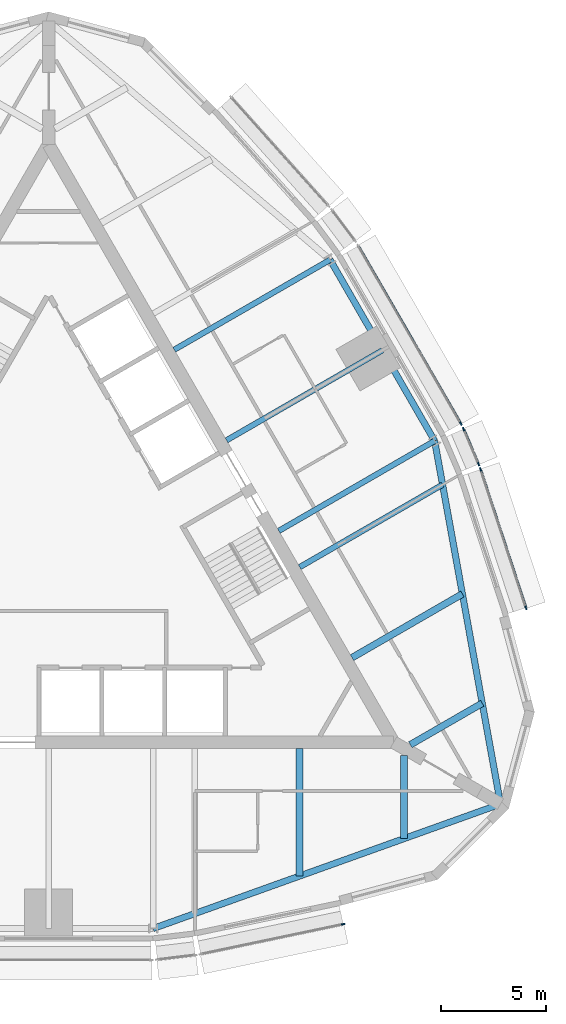
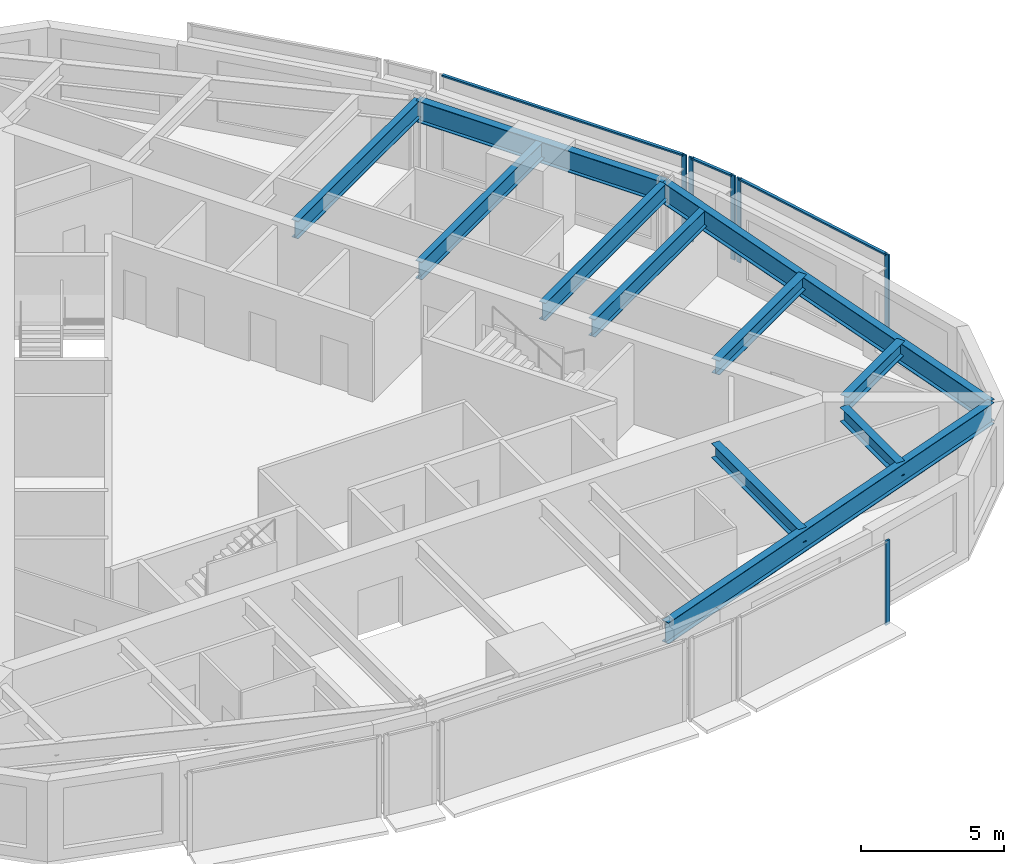
# One storey, part 4 of 12: 11 beams, 9 members, 4 elements without a shape of their own.
"""IFC4 building model written with IfcOpenShell, lengths in metres."""

from ifc_helpers import new_model, si_unit, direction, frame, origin, origin_2d, place, context, subcontext, project, spatial, rectangle, i_section, extrude, material, material_profile, profile_set, type_object, element, aggregate, save


model = new_model("IFC4")

# Units and contexts
model_context = context("Model", 3, precision=1e-05, world=origin(), true_north=direction((0.0, 1.0)))
body_context = subcontext(model_context, "Body", "Model", "MODEL_VIEW")
ifc_project = project(units=[si_unit("LENGTHUNIT", "METRE"), si_unit("AREAUNIT", "SQUARE_METRE"), si_unit("VOLUMEUNIT", "CUBIC_METRE"), si_unit("PLANEANGLEUNIT", "RADIAN"), si_unit("MASSUNIT", "GRAM", prefix="KILO")], contexts=[model_context])

# Site, building, storey
site_placement = place(None, origin())
site = spatial("IfcSite", under=ifc_project, at=site_placement, CompositionType="ELEMENT")
building_placement = place(site_placement, origin())
building = spatial("IfcBuilding", under=site, at=building_placement, Name="Trikona Tower", CompositionType="ELEMENT")
storey_placement = place(building_placement, frame((0.0, 0.0, 250.10009765625)))
storey = spatial("IfcBuildingStorey", under=building, at=storey_placement, Name="L66", CompositionType="ELEMENT", Elevation=250.10009765625)

# Curtain wall, member
ifc_material_1 = material(Name="Aluminium curtain wall system", Category="aluminium")
curtain_wall_type = type_object("IfcCurtainWallType", Name="Curtain wall DS3", PredefinedType="NOTDEFINED", material=ifc_material_1)
curtain_wall_1_placement = place(storey_placement, origin())
curtain_wall_1 = element("IfcCurtainWall", 1, at=curtain_wall_1_placement, inside=storey, type_object=curtain_wall_type, Name="Curtain wall DS3 L66", PredefinedType="NOTDEFINED")
ifc_material_2 = material(Name="Aluminium mullion, pale anodised", Category="aluminium")
ifc_material_profile_1 = material_profile(ifc_material_2, rectangle(XDim=0.070068359375, YDim=0.179931640625, at=origin_2d()), Name="MUL-DS3")
ifc_profile_set_1 = profile_set([ifc_material_profile_1], Name="Aluminium mullion, pale anodised")
member_type_1 = type_object("IfcMemberType", Name="Mullion DS3 70x180", PredefinedType="MULLION", material=ifc_profile_set_1)
member_1_placement = place(storey_placement, frame((14.092041015625, -18.220703125, 0.0), z_axis=(0.0, 0.0, 1.0), x_axis=(-0.205527448396, 0.978651351583, 0.0)))
member_1 = element("IfcMember", 2, at=member_1_placement, type_object=member_type_1, Name="CW-DS3 mullion 2", PredefinedType="MULLION", context=body_context, shape_type="SweptSolid", body=[
    extrude(rectangle(XDim=0.070068359375, YDim=0.179931640625, at=origin_2d()), origin(), (0.0, 0.0, 1.0), 3.599853515625),
])
aggregate(curtain_wall_1, [member_1])

# Curtain wall, members
curtain_wall_2_placement = place(storey_placement, origin())
curtain_wall_2 = element("IfcCurtainWall", 3, at=curtain_wall_2_placement, inside=storey, type_object=curtain_wall_type, Name="Curtain wall DS3 L66", PredefinedType="NOTDEFINED")
member_2_placement = place(storey_placement, frame((22.82568359375, -3.09375, 0.0), z_axis=(0.0, 0.0, 1.0), x_axis=(-0.95029742275, -0.311343553515, 0.0)))
member_2 = element("IfcMember", 4, at=member_2_placement, type_object=member_type_1, Name="CW-DS3 mullion 1", PredefinedType="MULLION", context=body_context, shape_type="SweptSolid", body=[
    extrude(rectangle(XDim=0.070068359375, YDim=0.179931640625, at=origin_2d()), origin(), (0.0, 0.0, 1.0), 3.599853515625),
])
member_3_placement = place(storey_placement, frame((20.657958984375, 3.52294921875, 0.0), z_axis=(0.0, 0.0, 1.0), x_axis=(-0.95029742275, -0.311343553515, 0.0)))
member_3 = element("IfcMember", 5, at=member_3_placement, type_object=member_type_1, Name="CW-DS3 mullion 2", PredefinedType="MULLION", context=body_context, shape_type="SweptSolid", body=[
    extrude(rectangle(XDim=0.070068359375, YDim=0.179931640625, at=origin_2d()), origin(), (0.0, 0.0, 1.0), 3.599853515625),
])

curtain_wall_3_placement = place(storey_placement, origin())
curtain_wall_3 = element("IfcCurtainWall", 6, at=curtain_wall_3_placement, inside=storey, type_object=curtain_wall_type, Name="Curtain wall DS3 L66", PredefinedType="NOTDEFINED")
member_4_placement = place(storey_placement, frame((20.563232421875, 3.7744140625, 0.0), z_axis=(0.0, 0.0, 1.0), x_axis=(-0.919420580163, -0.393275726143, 0.0)))
member_4 = element("IfcMember", 7, at=member_4_placement, type_object=member_type_1, Name="CW-DS3 mullion 1", PredefinedType="MULLION", context=body_context, shape_type="SweptSolid", body=[
    extrude(rectangle(XDim=0.070068359375, YDim=0.179931640625, at=origin_2d()), origin(), (0.0, 0.0, 1.0), 3.599853515625),
])
member_5_placement = place(storey_placement, frame((19.845703125, 5.45166015625, 0.0), z_axis=(0.0, 0.0, 1.0), x_axis=(-0.919420580163, -0.393275726143, 0.0)))
member_5 = element("IfcMember", 8, at=member_5_placement, type_object=member_type_1, Name="CW-DS3 mullion 2", PredefinedType="MULLION", context=body_context, shape_type="SweptSolid", body=[
    extrude(rectangle(XDim=0.070068359375, YDim=0.179931640625, at=origin_2d()), origin(), (0.0, 0.0, 1.0), 3.599853515625),
])

# Curtain wall, member
curtain_wall_4_placement = place(storey_placement, origin())
curtain_wall_4 = element("IfcCurtainWall", 9, at=curtain_wall_4_placement, inside=storey, type_object=curtain_wall_type, Name="Curtain wall DS3 L66", PredefinedType="NOTDEFINED")
member_6_placement = place(storey_placement, frame((19.712890625, 5.717529296875, 0.0), z_axis=(0.0, 0.0, 1.0), x_axis=(-0.866024619633, -0.500001358187, 0.0)))
member_6 = element("IfcMember", 10, at=member_6_placement, type_object=member_type_1, Name="CW-DS3 mullion 1", PredefinedType="MULLION", context=body_context, shape_type="SweptSolid", body=[
    extrude(rectangle(XDim=0.070068359375, YDim=0.179931640625, at=origin_2d()), origin(), (0.0, 0.0, 1.0), 3.599853515625),
])

# Beams
ifc_material_3 = material(Name="Steel ASTM A992 Grade 50", Category="steel")
ifc_material_profile_2 = material_profile(ifc_material_3, i_section(OverallWidth=0.3251953125, OverallDepth=0.612060546875, WebThickness=0.0126953125, FlangeThickness=0.01904296875, at=origin_2d()), Name="W24X104")
ifc_profile_set_2 = profile_set([ifc_material_profile_2], Name="Steel ASTM A992 Grade 50")
beam_type_1 = type_object("IfcBeamType", Name="Steel beam W24x104 (wedge upper)", PredefinedType="BEAM", material=ifc_profile_set_2)
beam_1_placement = place(storey_placement, frame((12.0, -9.826416015625, 3.12890625), z_axis=(0.0, -1.0, 0.0), x_axis=(1.0, 0.0, 0.0)))
element("IfcBeam", 11, at=beam_1_placement, inside=storey, type_object=beam_type_1, Name="Floor beam L67 F1 u12", PredefinedType="BEAM", context=body_context, shape_type="SweptSolid", body=[
    extrude(i_section(OverallWidth=0.3251953125, OverallDepth=0.612060546875, WebThickness=0.0126953125, FlangeThickness=0.01904296875, at=origin_2d()), origin(), (0.0, 0.0, 1.0), 6.094970703125),
])
for number, where, z_axis, x_axis, name in (
    (12, (17.0, -10.161376953125, 3.12890625), (0.0, -1.0, 0.0), (1.0, 0.0, 0.0), "Floor beam L67 F1 u17"),
    (13, (17.300048828125, -9.6416015625, 3.12890625), (0.866030866614, 0.499990537983, 0.0), (-0.499990537983, 0.866030866614, 0.0), "Floor beam L67 F2 u-17"),
):
    element("IfcBeam", number, at=place(storey_placement, frame(where, z_axis=z_axis, x_axis=x_axis)), inside=storey, type_object=beam_type_1, Name=name, PredefinedType="BEAM", context=body_context, shape_type="SweptSolid", body=[
        extrude(i_section(OverallWidth=0.3251953125, OverallDepth=0.612060546875, WebThickness=0.0126953125, FlangeThickness=0.01904296875, at=origin_2d()), origin(), (0.0, 0.0, 1.0), 3.9677734375),
    ])
beam_2_placement = place(storey_placement, frame((14.509765625, -5.479248046875, 3.12890625), z_axis=(0.866023498866, 0.500003299401, 0.0), x_axis=(-0.500003299401, 0.866023498866, 0.0)))
element("IfcBeam", 14, at=beam_2_placement, inside=storey, type_object=beam_type_1, Name="Floor beam L67 F2 u-12", PredefinedType="BEAM", context=body_context, shape_type="SweptSolid", body=[
    extrude(i_section(OverallWidth=0.3251953125, OverallDepth=0.612060546875, WebThickness=0.0126953125, FlangeThickness=0.01904296875, at=origin_2d()), origin(), (0.0, 0.0, 1.0), 6.09521484375),
])
ifc_material_4 = material(Name="Steel ASTM A992 Grade 50", Category="steel")
ifc_material_profile_3 = material_profile(ifc_material_4, i_section(OverallWidth=0.2666015625, OverallDepth=0.7568359375, WebThickness=0.013916015625, FlangeThickness=0.019287109375, at=origin_2d()), Name="W30X108")
ifc_profile_set_3 = profile_set([ifc_material_profile_3], Name="Steel ASTM A992 Grade 50")
beam_type_2 = type_object("IfcBeamType", Name="Steel beam W30x108 (radial upper)", PredefinedType="BEAM", material=ifc_profile_set_3)
beam_3_placement = place(storey_placement, frame((12.009765625, -1.14892578125, 3.056396484375), z_axis=(0.866034560358, 0.499984140014, 0.0), x_axis=(-0.499984140014, 0.866034560358, 0.0)))
element("IfcBeam", 15, at=beam_3_placement, inside=storey, type_object=beam_type_2, Name="Floor beam L67 F2 u-7", PredefinedType="BEAM", context=body_context, shape_type="SweptSolid", body=[
    extrude(i_section(OverallWidth=0.2666015625, OverallDepth=0.7568359375, WebThickness=0.013916015625, FlangeThickness=0.019287109375, at=origin_2d()), origin(), (0.0, 0.0, 1.0), 7.887451171875),
])
beam_4_placement = place(storey_placement, frame((11.009765625, 0.5830078125, 3.056396484375), z_axis=(0.866029182723, 0.49999345463, 0.0), x_axis=(-0.49999345463, 0.866029182723, 0.0)))
element("IfcBeam", 16, at=beam_4_placement, inside=storey, type_object=beam_type_2, Name="Floor beam L67 F2 u-5", PredefinedType="BEAM", context=body_context, shape_type="SweptSolid", body=[
    extrude(i_section(OverallWidth=0.2666015625, OverallDepth=0.7568359375, WebThickness=0.013916015625, FlangeThickness=0.019287109375, at=origin_2d()), origin(), (0.0, 0.0, 1.0), 8.60400390625),
])
beam_5_placement = place(storey_placement, frame((8.509765625, 4.9130859375, 3.056396484375), z_axis=(0.866016896067, 0.50001473551, 0.0), x_axis=(-0.50001473551, 0.866016896067, 0.0)))
element("IfcBeam", 17, at=beam_5_placement, inside=storey, type_object=beam_type_2, Name="Floor beam L67 F2 u0", PredefinedType="BEAM", context=body_context, shape_type="SweptSolid", body=[
    extrude(i_section(OverallWidth=0.2666015625, OverallDepth=0.7568359375, WebThickness=0.013916015625, FlangeThickness=0.019287109375, at=origin_2d()), origin(), (0.0, 0.0, 1.0), 8.604248046875),
])
beam_6_placement = place(storey_placement, frame((6.009765625, 9.243408203125, 3.056396484375), z_axis=(0.866029182723, 0.49999345463, 0.0), x_axis=(-0.49999345463, 0.866029182723, 0.0)))
element("IfcBeam", 18, at=beam_6_placement, inside=storey, type_object=beam_type_2, Name="Floor beam L67 F2 u5", PredefinedType="BEAM", context=body_context, shape_type="SweptSolid", body=[
    extrude(i_section(OverallWidth=0.2666015625, OverallDepth=0.7568359375, WebThickness=0.013916015625, FlangeThickness=0.019287109375, at=origin_2d()), origin(), (0.0, 0.0, 1.0), 8.60400390625),
])
ifc_material_5 = material(Name="Steel ASTM A992 Grade 50", Category="steel")
ifc_material_profile_4 = material_profile(ifc_material_5, i_section(OverallWidth=0.3046875, OverallDepth=0.911865234375, WebThickness=0.015869140625, FlangeThickness=0.02392578125, at=origin_2d()), Name="W36X150")
ifc_profile_set_4 = profile_set([ifc_material_profile_4], Name="Steel ASTM A992 Grade 50")
beam_type_3 = type_object("IfcBeamType", Name="Steel beam W36x150 (spandrel upper)", PredefinedType="SPANDREL", material=ifc_profile_set_4)
for number, where, z_axis, x_axis, name in (
    (19, (5.0, -18.430419921875, 2.97900390625), (0.941358144832, 0.337409014637, 0.0), (-0.337409014637, 0.941358144832, 0.0), "Spandrel beam L67 F1-3"),
    (20, (21.6103515625, -12.476806640625, 2.97900390625), (-0.178472662054, 0.983944870864, 0.0), (-0.983944870864, -0.178472662054, 0.0), "Spandrel beam L67 F2-1"),
):
    element("IfcBeam", number, at=place(storey_placement, frame(where, z_axis=z_axis, x_axis=x_axis)), inside=storey, type_object=beam_type_3, Name=name, PredefinedType="SPANDREL", context=body_context, shape_type="SweptSolid", body=[
        extrude(i_section(OverallWidth=0.3046875, OverallDepth=0.911865234375, WebThickness=0.015869140625, FlangeThickness=0.02392578125, at=origin_2d()), origin(), (0.0, 0.0, 1.0), 17.64501953125),
    ])
beam_7_placement = place(storey_placement, frame((18.461181640625, 4.885009765625, 2.97900390625), z_axis=(-0.499993662806, 0.866029062534, 0.0), x_axis=(-0.866029062534, -0.499993662806, 0.0)))
element("IfcBeam", 21, at=beam_7_placement, inside=storey, type_object=beam_type_3, Name="Spandrel beam L67 F2-2", PredefinedType="SPANDREL", context=body_context, shape_type="SweptSolid", body=[
    extrude(i_section(OverallWidth=0.3046875, OverallDepth=0.911865234375, WebThickness=0.015869140625, FlangeThickness=0.02392578125, at=origin_2d()), origin(), (0.0, 0.0, 1.0), 10.000244140625),
])

# Member
ifc_material_6 = material(Name="Aluminium transom, pale anodised", Category="aluminium")
ifc_material_profile_5 = material_profile(ifc_material_6, rectangle(XDim=0.1201171875, YDim=0.070068359375, at=origin_2d()), Name="TRN-DS3")
ifc_profile_set_5 = profile_set([ifc_material_profile_5], Name="Aluminium transom, pale anodised")
member_type_2 = type_object("IfcMemberType", Name="Transom DS3 70x120", PredefinedType="USERDEFINED", material=ifc_profile_set_5)
member_7_placement = place(storey_placement, frame((22.814697265625, -3.060302734375, 3.56494140625), z_axis=(-0.311346184, 0.950296560926, 0.0), x_axis=(-0.950296560926, -0.311346184, 0.0)))
member_7 = element("IfcMember", 22, at=member_7_placement, type_object=member_type_2, Name="CW-DS3 transom 1.1", ObjectType="TRANSOM", PredefinedType="USERDEFINED", context=body_context, shape_type="SweptSolid", body=[
    extrude(rectangle(XDim=0.1201171875, YDim=0.070068359375, at=origin_2d()), origin(), (0.0, 0.0, 1.0), 6.892578125),
])

aggregate(curtain_wall_2, [member_2, member_3, member_7])

member_8_placement = place(storey_placement, frame((20.549560546875, 3.806640625, 3.56494140625), z_axis=(-0.393314512783, 0.919403988481, 0.0), x_axis=(-0.919403988481, -0.393314512783, 0.0)))
member_8 = element("IfcMember", 23, at=member_8_placement, type_object=member_type_2, Name="CW-DS3 transom 1.1", ObjectType="TRANSOM", PredefinedType="USERDEFINED", context=body_context, shape_type="SweptSolid", body=[
    extrude(rectangle(XDim=0.1201171875, YDim=0.070068359375, at=origin_2d()), origin(), (0.0, 0.0, 1.0), 1.754150390625),
])

aggregate(curtain_wall_3, [member_4, member_5, member_8])

member_9_placement = place(storey_placement, frame((19.6953125, 5.747802734375, 3.56494140625), z_axis=(-0.500010305712, 0.866019453697, 0.0), x_axis=(-0.866019453697, -0.500010305712, 0.0)))
member_9 = element("IfcMember", 24, at=member_9_placement, type_object=member_type_2, Name="CW-DS3 transom 1.1", ObjectType="TRANSOM", PredefinedType="USERDEFINED", context=body_context, shape_type="SweptSolid", body=[
    extrude(rectangle(XDim=0.1201171875, YDim=0.070068359375, at=origin_2d()), origin(), (0.0, 0.0, 1.0), 9.739990234375),
])

aggregate(curtain_wall_4, [member_6, member_9])

save(model, "model.ifc")
